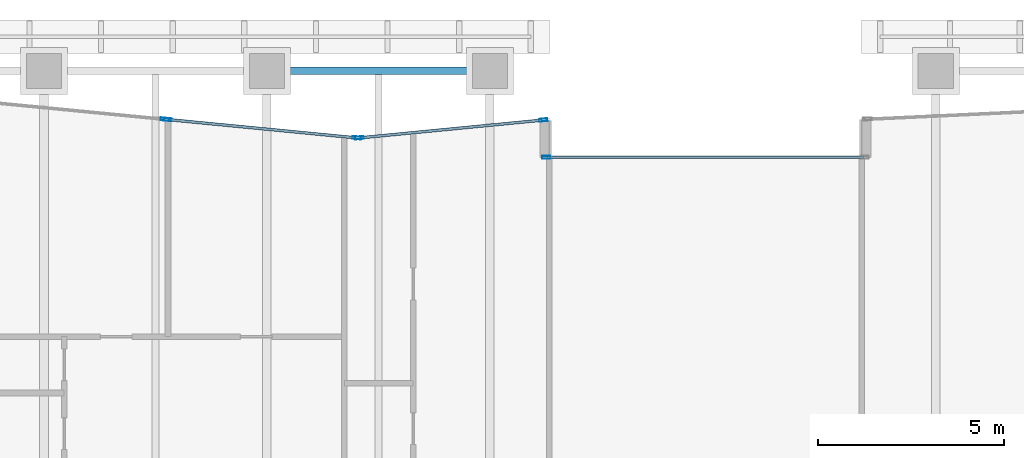
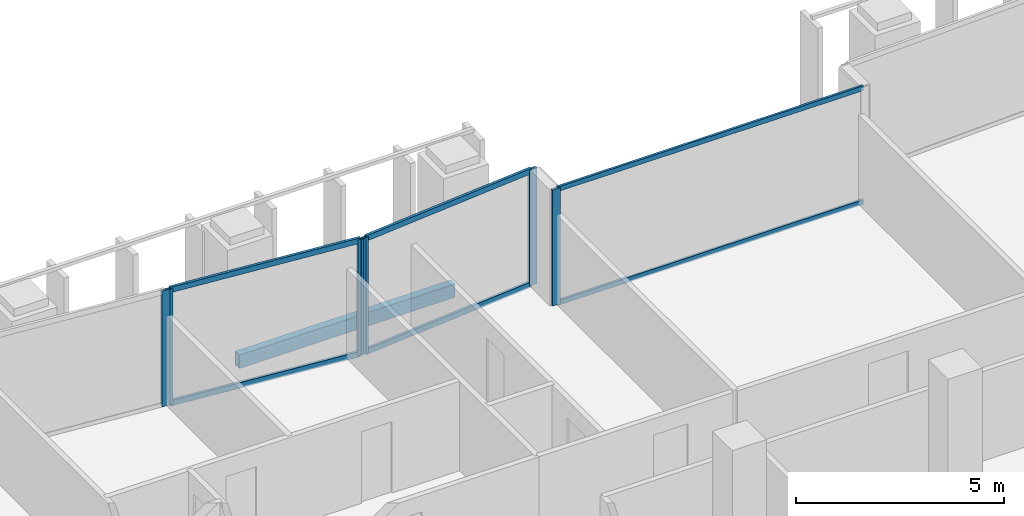
# One storey, part 14 of 39: 12 members, 1 beam, 4 elements without a shape of their own.
"""IFC4 building model written with IfcOpenShell, lengths in metres."""

from ifc_helpers import new_model, si_unit, direction, frame, origin, origin_2d, place, context, subcontext, project, spatial, hollow_rectangle, extrude, material, layer, layer_set, material_profile, profile_set, type_object, element, aggregate, save


model = new_model("IFC4")

# Units and contexts
model_context = context("Model", 3, precision=1e-05, world=origin(), true_north=direction((0.0, 1.0)))
body_context = subcontext(model_context, "Body", "Model", "MODEL_VIEW")
ifc_project = project(units=[si_unit("LENGTHUNIT", "METRE"), si_unit("AREAUNIT", "SQUARE_METRE"), si_unit("VOLUMEUNIT", "CUBIC_METRE"), si_unit("PLANEANGLEUNIT", "RADIAN"), si_unit("MASSUNIT", "GRAM", prefix="KILO")], contexts=[model_context])

# Site, building, storey
site_placement = place(None, origin())
site = spatial("IfcSite", under=ifc_project, at=site_placement, CompositionType="ELEMENT")
building_placement = place(site_placement, origin())
building = spatial("IfcBuilding", under=site, at=building_placement, Name="Tanjung Sevakor Pilgrim Tower", CompositionType="ELEMENT")
storey_placement = place(building_placement, frame((0.0, 0.0, 112.199951171875)))
storey = spatial("IfcBuildingStorey", under=building, at=storey_placement, Name="L31", CompositionType="ELEMENT", Elevation=112.199951171875)

# Beam
ifc_material_1 = material(Name="Steel S355J2", Category="steel")
ifc_material_profile_1 = material_profile(ifc_material_1, hollow_rectangle(XDim=0.199951171875, YDim=0.39990234375, WallThickness=0.01611328125, at=origin_2d()))
ifc_profile_set_1 = profile_set([ifc_material_profile_1], Name="Steel S355J2")
beam_type = type_object("IfcBeamType", Name="BM-B-SP2-RHS_400x200x16", PredefinedType="SPANDREL", material=ifc_profile_set_1)
beam_placement = place(storey_placement, frame((36.0, 56.39990234375, -0.419921875), z_axis=(1.0, 0.0, 0.0), x_axis=(0.0, 1.0, 0.0)))
element("IfcBeam", 1, at=beam_placement, inside=storey, type_object=beam_type, Name="L31 Spandrel MAIN N-06", PredefinedType="SPANDREL", context=body_context, shape_type="SweptSolid", body=[
    extrude(hollow_rectangle(XDim=0.199951171875, YDim=0.39990234375, WallThickness=0.01611328125, at=origin_2d()), origin(), (0.0, 0.0, 1.0), 6.0),
])

# Curtain wall, member
ifc_material_2 = material(Name="Aluminium 6063-T6 and Low-E Glass", Category="aluminium")
ifc_layer_1 = layer(ifc_material_2, 0.179931640625)
ifc_layer_set_1 = layer_set([ifc_layer_1], Name="CW-SYS-CLEFT")
curtain_wall_type_1 = type_object("IfcCurtainWallType", Name="CW-SYS-CLEFT", PredefinedType="NOTDEFINED", material=ifc_layer_set_1)
curtain_wall_1_placement = place(storey_placement, origin())
curtain_wall_1 = element("IfcCurtainWall", 2, at=curtain_wall_1_placement, inside=storey, type_object=curtain_wall_type_1, Name="L31 Curtain Wall CW-CLF-L31-25", PredefinedType="NOTDEFINED")
ifc_material_3 = material(Name="Aluminium 6063-T6", Category="aluminium")
ifc_material_profile_2 = material_profile(ifc_material_3, hollow_rectangle(XDim=0.074951171875, YDim=0.219970703125, WallThickness=0.0048828125, at=origin_2d()))
ifc_profile_set_2 = profile_set([ifc_material_profile_2], Name="Aluminium 6063-T6")
member_type_1 = type_object("IfcMemberType", Name="TYPE-CWM-2", PredefinedType="MULLION", material=ifc_profile_set_2)
member_1_placement = place(storey_placement, frame((43.512451171875, 54.074951171875, 0.0), z_axis=(0.0, 0.0, 1.0), x_axis=(0.0, -1.0, 0.0)))
member_1 = element("IfcMember", 3, at=member_1_placement, type_object=member_type_1, Name="CW-CLF mullion 2", PredefinedType="MULLION", context=body_context, shape_type="SweptSolid", body=[
    extrude(hollow_rectangle(XDim=0.074951171875, YDim=0.219970703125, WallThickness=0.0048828125, at=origin_2d()), origin(), (0.0, 0.0, 1.0), 3.41015625),
])

# Curtain wall, members
ifc_material_4 = material(Name="Aluminium 6063-T6 and Low-E Glass", Category="aluminium")
ifc_layer_2 = layer(ifc_material_4, 0.199951171875)
ifc_layer_set_2 = layer_set([ifc_layer_2], Name="CW-SYS-PRAY")
curtain_wall_type_2 = type_object("IfcCurtainWallType", Name="CW-SYS-PRAY", PredefinedType="NOTDEFINED", material=ifc_layer_set_2)
curtain_wall_2_placement = place(storey_placement, origin())
curtain_wall_2 = element("IfcCurtainWall", 4, at=curtain_wall_2_placement, inside=storey, type_object=curtain_wall_type_2, Name="L31 Curtain Wall CW-PRY-L31-27", PredefinedType="NOTDEFINED")
member_2_placement = place(storey_placement, frame((43.437744140625, 55.07861328125, 0.0), z_axis=(0.0, 0.0, 1.0), x_axis=(0.096640066202, -0.99531939477, 0.0)))
member_2 = element("IfcMember", 5, at=member_2_placement, type_object=member_type_1, Name="CW-PRY mullion 1", PredefinedType="MULLION", context=body_context, shape_type="SweptSolid", body=[
    extrude(hollow_rectangle(XDim=0.074951171875, YDim=0.219970703125, WallThickness=0.0048828125, at=origin_2d()), origin(), (0.0, 0.0, 1.0), 3.41015625),
])
member_3_placement = place(storey_placement, frame((38.4873046875, 54.59814453125, 0.0), z_axis=(0.0, 0.0, 1.0), x_axis=(0.096640066202, -0.99531939477, 0.0)))
member_3 = element("IfcMember", 6, at=member_3_placement, type_object=member_type_1, Name="CW-PRY mullion 2", PredefinedType="MULLION", context=body_context, shape_type="SweptSolid", body=[
    extrude(hollow_rectangle(XDim=0.074951171875, YDim=0.219970703125, WallThickness=0.0048828125, at=origin_2d()), origin(), (0.0, 0.0, 1.0), 3.41015625),
])

curtain_wall_3_placement = place(storey_placement, origin())
curtain_wall_3 = element("IfcCurtainWall", 7, at=curtain_wall_3_placement, inside=storey, type_object=curtain_wall_type_2, Name="L31 Curtain Wall CW-PRY-L31-28", PredefinedType="NOTDEFINED")
member_4_placement = place(storey_placement, frame((38.41259765625, 54.59814453125, 0.0), z_axis=(0.0, 0.0, 1.0), x_axis=(-0.096637839059, -0.99531961101, 0.0)))
member_4 = element("IfcMember", 8, at=member_4_placement, type_object=member_type_1, Name="CW-PRY mullion 1", PredefinedType="MULLION", context=body_context, shape_type="SweptSolid", body=[
    extrude(hollow_rectangle(XDim=0.074951171875, YDim=0.219970703125, WallThickness=0.0048828125, at=origin_2d()), origin(), (0.0, 0.0, 1.0), 3.41015625),
])
member_5_placement = place(storey_placement, frame((33.3251953125, 55.092041015625, 0.0), z_axis=(0.0, 0.0, 1.0), x_axis=(-0.096637839059, -0.99531961101, 0.0)))
member_5 = element("IfcMember", 9, at=member_5_placement, type_object=member_type_1, Name="CW-PRY mullion 2", PredefinedType="MULLION", context=body_context, shape_type="SweptSolid", body=[
    extrude(hollow_rectangle(XDim=0.074951171875, YDim=0.219970703125, WallThickness=0.0048828125, at=origin_2d()), origin(), (0.0, 0.0, 1.0), 3.41015625),
])

# Curtain wall, member
curtain_wall_4_placement = place(storey_placement, origin())
curtain_wall_4 = element("IfcCurtainWall", 10, at=curtain_wall_4_placement, inside=storey, type_object=curtain_wall_type_2, Name="L31 Curtain Wall CW-PRY-L31-29", PredefinedType="NOTDEFINED")
member_6_placement = place(storey_placement, frame((33.25048828125, 55.09912109375, 0.0), z_axis=(0.0, 0.0, 1.0), x_axis=(-0.096628173007, -0.995320549462, 0.0)))
member_6 = element("IfcMember", 11, at=member_6_placement, type_object=member_type_1, Name="CW-PRY mullion 1", PredefinedType="MULLION", context=body_context, shape_type="SweptSolid", body=[
    extrude(hollow_rectangle(XDim=0.074951171875, YDim=0.219970703125, WallThickness=0.0048828125, at=origin_2d()), origin(), (0.0, 0.0, 1.0), 3.41015625),
])
aggregate(curtain_wall_4, [member_6])

# Member
ifc_material_5 = material(Name="Aluminium 6063-T6", Category="aluminium")
ifc_material_profile_3 = material_profile(ifc_material_5, hollow_rectangle(XDim=0.06494140625, YDim=0.139892578125, WallThickness=0.00390625, at=origin_2d()))
ifc_profile_set_3 = profile_set([ifc_material_profile_3], Name="Aluminium 6063-T6")
member_type_2 = type_object("IfcMemberType", Name="TYPE-CWT-1", PredefinedType="USERDEFINED", material=ifc_profile_set_3)
member_7_placement = place(storey_placement, frame((52.050048828125, 54.074951171875, 0.032470703125), z_axis=(-1.0, 0.0, 0.0), x_axis=(0.0, -1.0, 0.0)))
member_7 = element("IfcMember", 12, at=member_7_placement, type_object=member_type_2, Name="CW-CLF transom 1.1", ObjectType="TRANSOM", PredefinedType="USERDEFINED", context=body_context, shape_type="SweptSolid", body=[
    extrude(hollow_rectangle(XDim=0.06494140625, YDim=0.139892578125, WallThickness=0.00390625, at=origin_2d()), origin(), (0.0, 0.0, 1.0), 8.5),
])

member_8_placement = place(storey_placement, frame((52.050048828125, 54.074951171875, 3.37744140625), z_axis=(-1.0, 0.0, 0.0), x_axis=(0.0, -1.0, 0.0)))
member_8 = element("IfcMember", 13, at=member_8_placement, type_object=member_type_2, Name="CW-CLF transom 1.2", ObjectType="TRANSOM", PredefinedType="USERDEFINED", context=body_context, shape_type="SweptSolid", body=[
    extrude(hollow_rectangle(XDim=0.06494140625, YDim=0.139892578125, WallThickness=0.00390625, at=origin_2d()), origin(), (0.0, 0.0, 1.0), 8.5),
])

aggregate(curtain_wall_1, [member_1, member_7, member_8])

ifc_material_6 = material(Name="Aluminium 6063-T6", Category="aluminium")
ifc_material_profile_4 = material_profile(ifc_material_6, hollow_rectangle(XDim=0.074951171875, YDim=0.159912109375, WallThickness=0.00439453125, at=origin_2d()))
ifc_profile_set_4 = profile_set([ifc_material_profile_4], Name="Aluminium 6063-T6")
member_type_3 = type_object("IfcMemberType", Name="TYPE-CWT-2", PredefinedType="USERDEFINED", material=ifc_profile_set_4)
member_9_placement = place(storey_placement, frame((43.400390625, 55.074951171875, 0.03759765625), z_axis=(-0.995319753369, -0.09663637283, 0.0), x_axis=(0.09663637283, -0.995319753369, 0.0)))
member_9 = element("IfcMember", 14, at=member_9_placement, type_object=member_type_3, Name="CW-PRY transom 1.1", ObjectType="TRANSOM", PredefinedType="USERDEFINED", context=body_context, shape_type="SweptSolid", body=[
    extrude(hollow_rectangle(XDim=0.074951171875, YDim=0.159912109375, WallThickness=0.00439453125, at=origin_2d()), origin(), (0.0, 0.0, 1.0), 4.898681640625),
])

member_10_placement = place(storey_placement, frame((43.400390625, 55.074951171875, 3.37255859375), z_axis=(-0.995319753369, -0.09663637283, 0.0), x_axis=(0.09663637283, -0.995319753369, 0.0)))
member_10 = element("IfcMember", 15, at=member_10_placement, type_object=member_type_3, Name="CW-PRY transom 1.2", ObjectType="TRANSOM", PredefinedType="USERDEFINED", context=body_context, shape_type="SweptSolid", body=[
    extrude(hollow_rectangle(XDim=0.074951171875, YDim=0.159912109375, WallThickness=0.00439453125, at=origin_2d()), origin(), (0.0, 0.0, 1.0), 4.898681640625),
])

aggregate(curtain_wall_2, [member_2, member_3, member_9, member_10])

member_11_placement = place(storey_placement, frame((38.375244140625, 54.6015625, 0.03759765625), z_axis=(-0.995317272174, 0.096661924835, 0.0), x_axis=(-0.096661924835, -0.995317272174, 0.0)))
member_11 = element("IfcMember", 16, at=member_11_placement, type_object=member_type_3, Name="CW-PRY transom 1.1", ObjectType="TRANSOM", PredefinedType="USERDEFINED", context=body_context, shape_type="SweptSolid", body=[
    extrude(hollow_rectangle(XDim=0.074951171875, YDim=0.159912109375, WallThickness=0.00439453125, at=origin_2d()), origin(), (0.0, 0.0, 1.0), 5.036376953125),
])

member_12_placement = place(storey_placement, frame((38.375244140625, 54.6015625, 3.37255859375), z_axis=(-0.995317272174, 0.096661924835, 0.0), x_axis=(-0.096661924835, -0.995317272174, 0.0)))
member_12 = element("IfcMember", 17, at=member_12_placement, type_object=member_type_3, Name="CW-PRY transom 1.2", ObjectType="TRANSOM", PredefinedType="USERDEFINED", context=body_context, shape_type="SweptSolid", body=[
    extrude(hollow_rectangle(XDim=0.074951171875, YDim=0.159912109375, WallThickness=0.00439453125, at=origin_2d()), origin(), (0.0, 0.0, 1.0), 5.036376953125),
])

aggregate(curtain_wall_3, [member_4, member_5, member_11, member_12])

save(model, "model.ifc")
